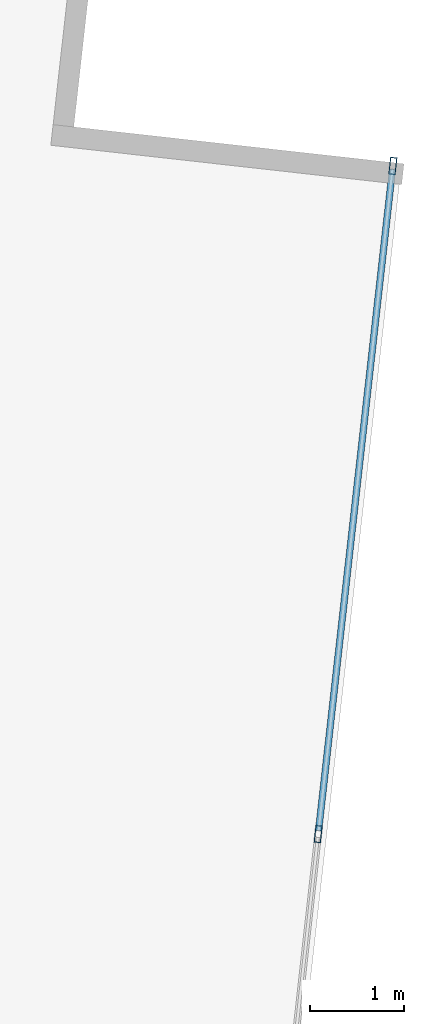
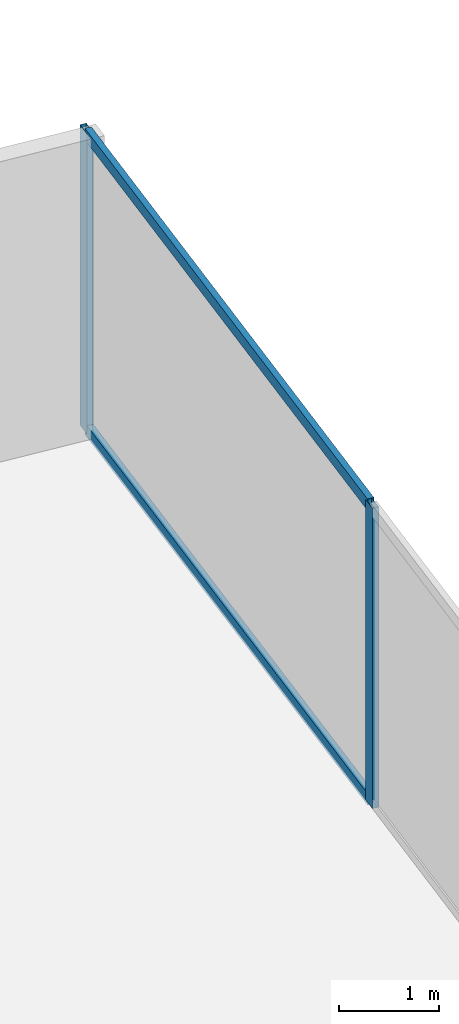
# One storey, part 21 of 28: 4 members, 1 element without a shape of its own.
"""IFC4 building model written with IfcOpenShell, lengths in metres."""

from ifc_helpers import new_model, si_unit, direction, frame, origin, origin_2d, place, context, subcontext, project, spatial, hollow_rectangle, extrude, source, transform, mapped, material, material_profile, profile_set, type_object, type_shapes, element, aggregate, save


model = new_model("IFC4")

# Units and contexts
model_context = context("Model", 3, precision=1e-05, world=origin(), true_north=direction((0.0, 1.0)))
body_context = subcontext(model_context, "Body", "Model", "MODEL_VIEW")
ifc_project = project(units=[si_unit("LENGTHUNIT", "METRE"), si_unit("AREAUNIT", "SQUARE_METRE"), si_unit("VOLUMEUNIT", "CUBIC_METRE"), si_unit("PLANEANGLEUNIT", "RADIAN"), si_unit("MASSUNIT", "GRAM", prefix="KILO")], contexts=[model_context])

# Site, building, storey
site_placement = place(None, origin())
site = spatial("IfcSite", under=ifc_project, at=site_placement, CompositionType="ELEMENT")
building_placement = place(site_placement, origin())
building = spatial("IfcBuilding", under=site, at=building_placement, Name="Krantzveldt Concourse Tower", CompositionType="ELEMENT")
storey_placement = place(building_placement, frame((0.0, 0.0, 64.5)))
storey = spatial("IfcBuildingStorey", under=building, at=storey_placement, Name="L15", CompositionType="ELEMENT", Elevation=64.5)

# Curtain wall, members
ifc_material = material(Name="Anodised aluminium 6063-T6", Category="aluminium")
curtain_wall_type = type_object("IfcCurtainWallType", Name="CW2", PredefinedType="USERDEFINED", material=ifc_material)
curtain_wall_placement = place(storey_placement, origin())
curtain_wall = element("IfcCurtainWall", 1, at=curtain_wall_placement, inside=storey, type_object=curtain_wall_type, Name="CW-L15-F07", ObjectType="UNITISED CURTAIN WALL", PredefinedType="USERDEFINED")
ifc_material_profile_1 = material_profile(ifc_material, hollow_rectangle(XDim=0.070068359375, YDim=0.179931640625, WallThickness=0.0048828125, at=origin_2d()), Name="Anodised aluminium 6063-T6", Category="aluminium")
ifc_profile_set_1 = profile_set([ifc_material_profile_1], Name="Anodised aluminium 6063-T6 - ALU-MULL 180x70x5")
member_type_1 = type_object("IfcMemberType", Name="CW-MUL-180", PredefinedType="MULLION", material=ifc_profile_set_1)
shared_shape_1 = source(origin(), body_context, "Body", "SweptSolid", [
    extrude(hollow_rectangle(XDim=0.070068359375, YDim=0.179931640625, WallThickness=0.0048828125, at=origin_2d()), origin(), (0.0, 0.0, 1.0), 3.669921875),
])
type_shapes(member_type_1, [shared_shape_1])
member_1_placement = place(storey_placement, frame((62.347412109375, 38.1787109375, 0.0), z_axis=(0.0, 0.0, 1.0), x_axis=(-0.993816458223, 0.111035342863, 0.0)))
member_1 = element("IfcMember", 2, at=member_1_placement, type_object=member_type_1, Name="CW-Z12 mullion 6", PredefinedType="MULLION", context=body_context, shape_type="MappedRepresentation", body=[
    mapped(shared_shape_1, transform((0.0, 0.0, 0.0), x_axis=(1.0, 0.0, 0.0), y_axis=(0.0, 1.0, 0.0), z_axis=(0.0, 0.0, 1.0), scale=1.0)),
])
member_2_placement = place(storey_placement, frame((63.139404296875, 45.266357421875, 0.0), z_axis=(0.0, 0.0, 1.0), x_axis=(-0.993816458223, 0.111035342863, 0.0)))
member_2 = element("IfcMember", 3, at=member_2_placement, type_object=member_type_1, Name="CW-Z12 mullion 7", PredefinedType="MULLION", context=body_context, shape_type="MappedRepresentation", body=[
    mapped(shared_shape_1, transform((0.0, 0.0, 0.0), x_axis=(1.0, 0.0, 0.0), y_axis=(0.0, 1.0, 0.0), z_axis=(0.0, 0.0, 1.0), scale=1.0)),
])
ifc_material_profile_2 = material_profile(ifc_material, hollow_rectangle(XDim=0.070068359375, YDim=0.139892578125, WallThickness=0.0048828125, at=origin_2d()), Name="Anodised aluminium 6063-T6", Category="aluminium")
ifc_profile_set_2 = profile_set([ifc_material_profile_2], Name="Anodised aluminium 6063-T6 - ALU-TRAN 140x70x5")
member_type_2 = type_object("IfcMemberType", Name="CW-TRN-150", PredefinedType="USERDEFINED", material=ifc_profile_set_2)
shared_shape_2 = source(origin(), body_context, "Body", "SweptSolid", [
    extrude(hollow_rectangle(XDim=0.070068359375, YDim=0.139892578125, WallThickness=0.0048828125, at=origin_2d()), origin(), (0.0, 0.0, 1.0), 7.061767578125),
])
type_shapes(member_type_2, [shared_shape_2])
member_3_placement = place(storey_placement, frame((62.351318359375, 38.213623046875, 0.034912109375), z_axis=(0.111046217254, 0.993815243208, 0.0), x_axis=(-0.993815243208, 0.111046217254, 0.0)))
member_3 = element("IfcMember", 4, at=member_3_placement, type_object=member_type_2, Name="CW-Z12 transom 6.1", ObjectType="TRANSOM", PredefinedType="USERDEFINED", context=body_context, shape_type="MappedRepresentation", body=[
    mapped(shared_shape_2, transform((0.0, 0.0, 0.0), x_axis=(1.0, 0.0, 0.0), y_axis=(0.0, 1.0, 0.0), z_axis=(0.0, 0.0, 1.0), scale=1.0)),
])
member_4_placement = place(storey_placement, frame((62.351318359375, 38.213623046875, 3.635009765625), z_axis=(0.111046217254, 0.993815243208, 0.0), x_axis=(-0.993815243208, 0.111046217254, 0.0)))
member_4 = element("IfcMember", 5, at=member_4_placement, type_object=member_type_2, Name="CW-Z12 transom 6.2", ObjectType="TRANSOM", PredefinedType="USERDEFINED", context=body_context, shape_type="MappedRepresentation", body=[
    mapped(shared_shape_2, transform((0.0, 0.0, 0.0), x_axis=(1.0, 0.0, 0.0), y_axis=(0.0, 1.0, 0.0), z_axis=(0.0, 0.0, 1.0), scale=1.0)),
])
aggregate(curtain_wall, [member_1, member_2, member_3, member_4])

save(model, "model.ifc")
